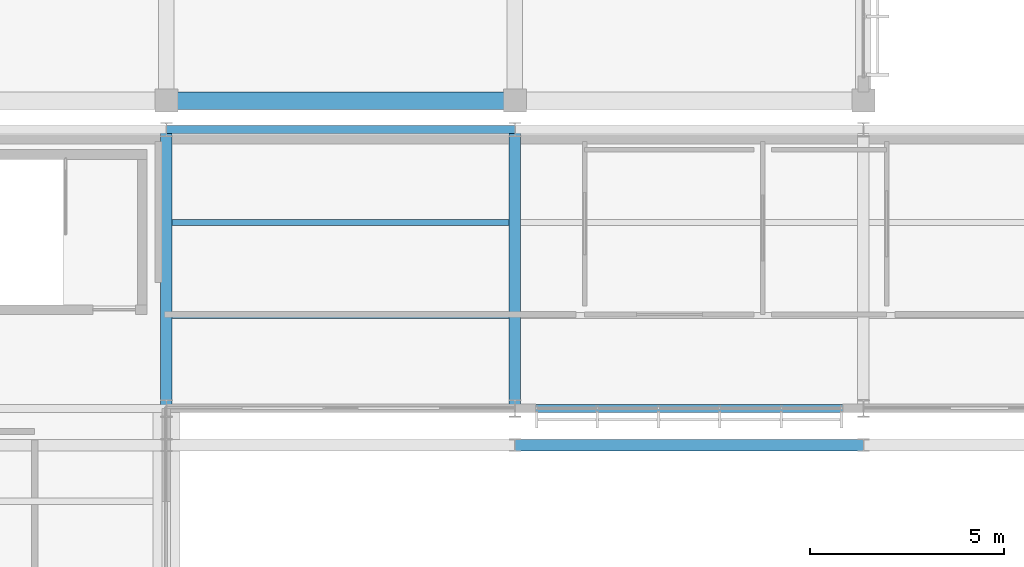
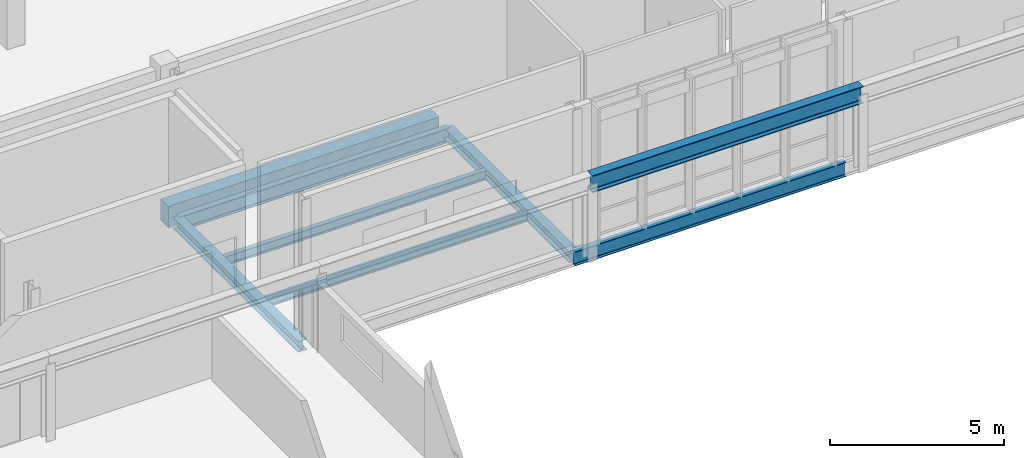
# One storey, part 105 of 177: 8 beams.
"""IFC4 building model written with IfcOpenShell, lengths in metres."""

from ifc_helpers import new_model, si_unit, direction, frame, origin, origin_2d, place, context, subcontext, project, spatial, rectangle, i_section, extrude, material, material_profile, profile_set, type_object, element, save


model = new_model("IFC4")

# Units and contexts
model_context = context("Model", 3, precision=1e-05, world=origin(), true_north=direction((0.0, 1.0)))
body_context = subcontext(model_context, "Body", "Model", "MODEL_VIEW")
ifc_project = project(units=[si_unit("LENGTHUNIT", "METRE"), si_unit("AREAUNIT", "SQUARE_METRE"), si_unit("VOLUMEUNIT", "CUBIC_METRE"), si_unit("PLANEANGLEUNIT", "RADIAN"), si_unit("MASSUNIT", "GRAM", prefix="KILO")], contexts=[model_context])

# Site, building, storey
site_placement = place(None, origin())
site = spatial("IfcSite", under=ifc_project, at=site_placement, CompositionType="ELEMENT")
building_placement = place(site_placement, origin())
building = spatial("IfcBuilding", under=site, at=building_placement, Name="Chiffa Square Polytechnic", CompositionType="ELEMENT")
storey_placement = place(building_placement, frame((0.0, 0.0, 4.800048828125)))
storey = spatial("IfcBuildingStorey", under=building, at=storey_placement, Name="L01", CompositionType="ELEMENT", Elevation=4.800048828125)

# Beams
ifc_material_1 = material(Name="Concrete C35/45", Category="concrete")
ifc_material_profile_1 = material_profile(ifc_material_1, rectangle(XDim=0.449951171875, YDim=0.75, at=origin_2d()), Name="RC 450x750")
ifc_profile_set_1 = profile_set([ifc_material_profile_1], Name="Concrete C35/45")
beam_type_1 = type_object("IfcBeamType", Name="BM-RC-450X750", PredefinedType="BEAM", material=ifc_profile_set_1)
beam_1_placement = place(storey_placement, frame((130.199951171875, 94.949951171875, -0.655029296875), z_axis=(1.0, 0.0, 0.0), x_axis=(0.0, 1.0, 0.0)))
element("IfcBeam", 1, at=beam_1_placement, inside=storey, type_object=beam_type_1, Name="Primary floor girder BM-V5-L01-X-1302-0950", PredefinedType="BEAM", context=body_context, shape_type="SweptSolid", body=[
    extrude(rectangle(XDim=0.449951171875, YDim=0.75, at=origin_2d()), origin(), (0.0, 0.0, 1.0), 9.0),
])
ifc_material_2 = material(Name="Steel S355", Category="steel")
ifc_material_profile_2 = material_profile(ifc_material_2, i_section(OverallWidth=0.300048828125, OverallDepth=0.389892578125, WebThickness=0.010986328125, FlangeThickness=0.01904296875, FilletRadius=0.027099609375, at=origin_2d()), Name="HEA 400")
ifc_profile_set_2 = profile_set([ifc_material_profile_2], Name="Steel S355")
beam_type_2 = type_object("IfcBeamType", Name="BM-STL-HEA400", PredefinedType="BEAM", material=ifc_profile_set_2)
for number, where, z_axis, x_axis, name in (
    (2, (130.199951171875, 87.0, -0.47509765625), (0.0, 1.0, 0.0), (-1.0, 0.0, 0.0), "Primary floor girder BM-V2-L01-Y-1302-0870"),
    (3, (139.199951171875, 87.0, -0.47509765625), (0.0, 1.0, 0.0), (-1.0, 0.0, 0.0), "Primary floor girder BM-V2-L01-Y-1392-0870"),
):
    element("IfcBeam", number, at=place(storey_placement, frame(where, z_axis=z_axis, x_axis=x_axis)), inside=storey, type_object=beam_type_2, Name=name, PredefinedType="BEAM", context=body_context, shape_type="SweptSolid", body=[
        extrude(i_section(OverallWidth=0.300048828125, OverallDepth=0.389892578125, WebThickness=0.010986328125, FlangeThickness=0.01904296875, FilletRadius=0.027099609375, at=origin_2d()), origin(), (0.0, 0.0, 1.0), 7.199951171875),
    ])
ifc_material_profile_3 = material_profile(ifc_material_2, i_section(OverallWidth=0.199951171875, OverallDepth=0.5, WebThickness=0.01025390625, FlangeThickness=0.01611328125, FilletRadius=0.02099609375, at=origin_2d()), Name="IPE 500")
ifc_profile_set_3 = profile_set([ifc_material_profile_3], Name="Steel S355")
beam_type_3 = type_object("IfcBeamType", Name="BM-STL-IPE500", PredefinedType="BEAM", material=ifc_profile_set_3)
for number, where, z_axis, x_axis, name in (
    (4, (139.199951171875, 87.0, -0.530029296875), (1.0, 0.0, 0.0), (0.0, 1.0, 0.0), "Primary floor girder BM-V2-L01-X-1392-0870"),
    (5, (130.199951171875, 94.199951171875, -0.530029296875), (1.0, 0.0, 0.0), (0.0, 1.0, 0.0), "Primary floor girder BM-V2-L01-X-1302-0942"),
):
    element("IfcBeam", number, at=place(storey_placement, frame(where, z_axis=z_axis, x_axis=x_axis)), inside=storey, type_object=beam_type_3, Name=name, PredefinedType="BEAM", context=body_context, shape_type="SweptSolid", body=[
        extrude(i_section(OverallWidth=0.199951171875, OverallDepth=0.5, WebThickness=0.01025390625, FlangeThickness=0.01611328125, FilletRadius=0.02099609375, at=origin_2d()), origin(), (0.0, 0.0, 1.0), 9.0),
    ])
ifc_material_profile_4 = material_profile(ifc_material_2, i_section(OverallWidth=0.300048828125, OverallDepth=0.60009765625, WebThickness=0.015380859375, FlangeThickness=0.030029296875, FilletRadius=0.027099609375, at=origin_2d()), Name="HEB 600")
ifc_profile_set_4 = profile_set([ifc_material_profile_4], Name="Steel S355")
beam_type_4 = type_object("IfcBeamType", Name="CG-STL-HEB600", PredefinedType="USERDEFINED", material=ifc_profile_set_4)
beam_2_placement = place(storey_placement, frame((139.199951171875, 86.050048828125, 2.699951171875), z_axis=(1.0, 0.0, 0.0), x_axis=(0.0, 1.0, 0.0)))
element("IfcBeam", 6, at=beam_2_placement, inside=storey, type_object=beam_type_4, Name="Bridge crane runway girder CG-V2-L01-N04", ObjectType="CRANE GIRDER", PredefinedType="USERDEFINED", context=body_context, shape_type="SweptSolid", body=[
    extrude(i_section(OverallWidth=0.300048828125, OverallDepth=0.60009765625, WebThickness=0.015380859375, FlangeThickness=0.030029296875, FilletRadius=0.027099609375, at=origin_2d()), origin(), (0.0, 0.0, 1.0), 9.0),
])
ifc_material_profile_5 = material_profile(ifc_material_2, i_section(OverallWidth=0.159912109375, OverallDepth=0.330078125, WebThickness=0.007568359375, FlangeThickness=0.011474609375, FilletRadius=0.01806640625, at=origin_2d()), Name="IPE 330")
ifc_profile_set_5 = profile_set([ifc_material_profile_5], Name="Steel S355")
beam_type_5 = type_object("IfcBeamType", Name="JST-STL-IPE330", PredefinedType="JOIST", material=ifc_profile_set_5)
for number, where, z_axis, x_axis, name in (
    (7, (130.347900390625, 89.39990234375, -0.445068359375), (1.0, 0.0, 0.0), (0.0, 1.0, 0.0), "Secondary floor joist JST-V2-L01-1302-0894"),
    (8, (130.347900390625, 91.800048828125, -0.445068359375), (1.0, 0.0, 0.0), (0.0, 1.0, 0.0), "Secondary floor joist JST-V2-L01-1302-0918"),
):
    element("IfcBeam", number, at=place(storey_placement, frame(where, z_axis=z_axis, x_axis=x_axis)), inside=storey, type_object=beam_type_5, Name=name, PredefinedType="JOIST", context=body_context, shape_type="SweptSolid", body=[
        extrude(i_section(OverallWidth=0.159912109375, OverallDepth=0.330078125, WebThickness=0.007568359375, FlangeThickness=0.011474609375, FilletRadius=0.01806640625, at=origin_2d()), origin(), (0.0, 0.0, 1.0), 8.7041015625),
    ])

save(model, "model.ifc")
